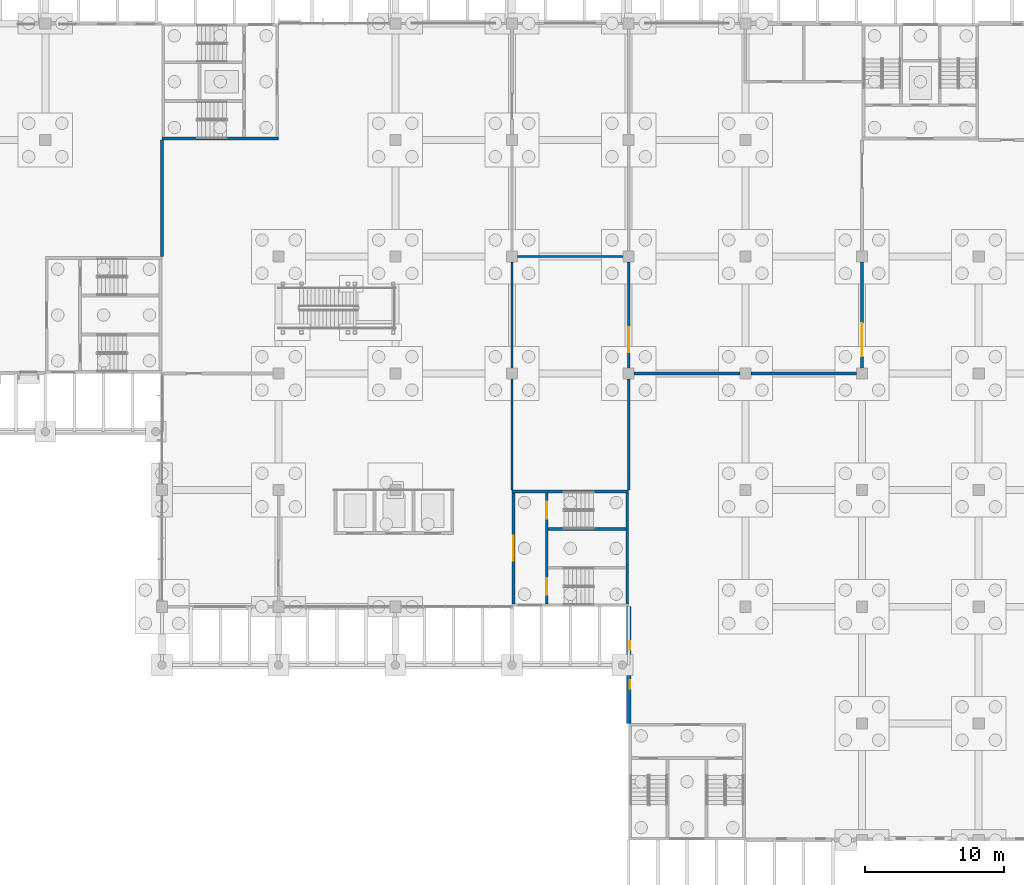
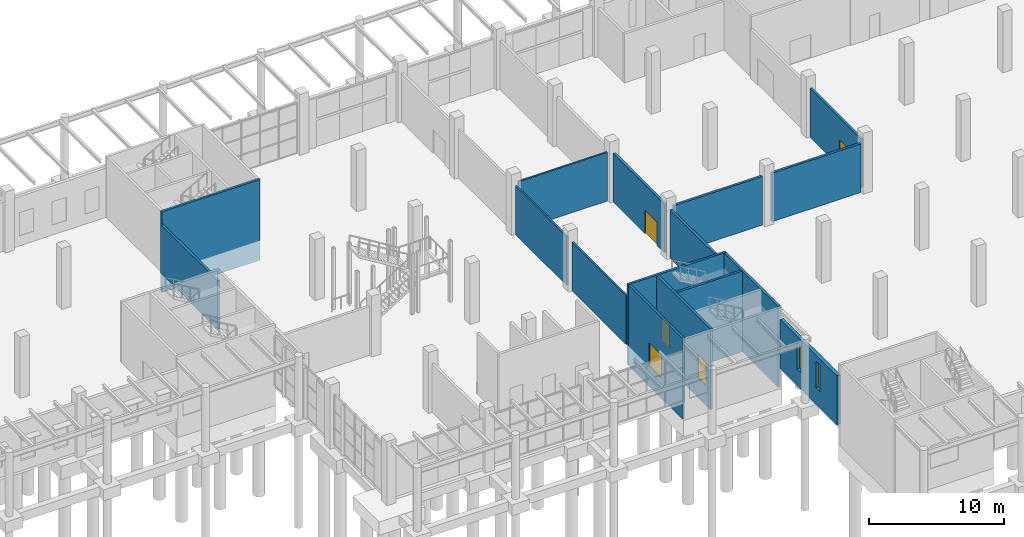
# One storey, part 37 of 82: 16 walls, 5 doors, 2 windows, 7 openings.
"""IFC4 building model written with IfcOpenShell, lengths in metres."""

from ifc_helpers import new_model, si_unit, direction, frame, frame_2d, origin, place, context, subcontext, project, spatial, rectangle, extrude, material, layer, layer_set, type_object, element, fill, save


model = new_model("IFC4")

# Units and contexts
model_context = context("Model", 3, precision=1e-05, world=origin(), true_north=direction((0.0, 1.0)))
body_context = subcontext(model_context, "Body", "Model", "MODEL_VIEW")
ifc_project = project(units=[si_unit("LENGTHUNIT", "METRE"), si_unit("AREAUNIT", "SQUARE_METRE"), si_unit("VOLUMEUNIT", "CUBIC_METRE"), si_unit("PLANEANGLEUNIT", "RADIAN"), si_unit("MASSUNIT", "GRAM", prefix="KILO")], contexts=[model_context])

# Site, building, storey
site_placement = place(None, origin())
site = spatial("IfcSite", under=ifc_project, at=site_placement, CompositionType="ELEMENT")
building_placement = place(site_placement, origin())
building = spatial("IfcBuilding", under=site, at=building_placement, Name="Almond Square Museum", CompositionType="ELEMENT")
storey_placement = place(building_placement, origin())
storey = spatial("IfcBuildingStorey", under=building, at=storey_placement, Name="L00", CompositionType="ELEMENT", Elevation=0.0)

# Wall, openings, windows
ifc_material_1 = material(Name="Concrete C30/37", Category="concrete")
ifc_layer_1 = layer(ifc_material_1, 0.300048828125)
ifc_layer_set_1 = layer_set([ifc_layer_1], Name="Concrete C30/37")
wall_type_1 = type_object("IfcWallType", Name="Cast concrete wall 300 C30/37 behind louvre skin", PredefinedType="SOLIDWALL", material=ifc_layer_set_1)
wall_1_placement = place(storey_placement, frame((106.800048828125, 58.800048828125, 0.0), z_axis=(0.0, 0.0, 1.0), x_axis=(0.0, 1.0, 0.0)))
wall_1 = element("IfcWall", 1, at=wall_1_placement, inside=storey, type_object=wall_type_1, Name="External wall W1 V1 L00 W01", PredefinedType="SOLIDWALL", context=body_context, shape_type="SweptSolid", body=[
    extrude(rectangle(XDim=8.39990234375, YDim=0.300048828125, at=frame_2d((4.199951171875, 0.0))), origin(), (0.0, 0.0, 1.0), 4.43994140625),
])
opening_1_placement = place(wall_1_placement, frame((2.5, 0.0, 1.5)))
opening_1 = element("IfcOpeningElement", 2, at=opening_1_placement, cuts=wall_1, Name="Opening W0059", PredefinedType="OPENING", context=body_context, shape_type="SweptSolid", body=[
    extrude(rectangle(XDim=0.60009765625, YDim=2.39990234375, at=frame_2d((0.300048828125, 1.199951171875))), frame((0.0, 0.159912109375, 0.0), z_axis=(0.0, -1.0, 0.0), x_axis=(1.0, 0.0, 0.0)), (0.0, 0.0, 1.0), 0.320068359375),
])
opening_2_placement = place(wall_1_placement, frame((5.300048828125, 0.0, 1.5)))
opening_2 = element("IfcOpeningElement", 3, at=opening_2_placement, cuts=wall_1, Name="Opening W0060", PredefinedType="OPENING", context=body_context, shape_type="SweptSolid", body=[
    extrude(rectangle(XDim=0.60009765625, YDim=2.39990234375, at=frame_2d((0.300048828125, 1.199951171875))), frame((0.0, 0.159912109375, 0.0), z_axis=(0.0, -1.0, 0.0), x_axis=(1.0, 0.0, 0.0)), (0.0, 0.0, 1.0), 0.320068359375),
])
ifc_material_2 = material(Name="Anodised aluminium louvre and laminated glass", Category="aluminium")
window_type = type_object("IfcWindowType", Name="Slot window with storm louvre", PartitioningType="SINGLE_PANEL", PredefinedType="WINDOW", material=ifc_material_2)
window_1_placement = place(opening_1_placement, origin())
window_1 = element("IfcWindow", 4, at=window_1_placement, inside=storey, type_object=window_type, Name="Slot window with storm louvre W0059", OverallHeight=2.39990234375, OverallWidth=0.60009765625, PartitioningType="SINGLE_PANEL", PredefinedType="WINDOW", context=body_context, shape_type="SweptSolid", body=[
    extrude(rectangle(XDim=0.60009765625, YDim=2.39990234375, at=frame_2d((0.300048828125, 1.199951171875))), frame((0.0, -0.070068359375, 0.0), z_axis=(0.0, -1.0, 0.0), x_axis=(1.0, 0.0, 0.0)), (0.0, 0.0, 1.0), 0.06005859375),
])
fill(opening_1, window_1)
window_2_placement = place(opening_2_placement, origin())
window_2 = element("IfcWindow", 5, at=window_2_placement, inside=storey, type_object=window_type, Name="Slot window with storm louvre W0060", OverallHeight=2.39990234375, OverallWidth=0.60009765625, PartitioningType="SINGLE_PANEL", PredefinedType="WINDOW", context=body_context, shape_type="SweptSolid", body=[
    extrude(rectangle(XDim=0.60009765625, YDim=2.39990234375, at=frame_2d((0.300048828125, 1.199951171875))), frame((0.0, -0.070068359375, 0.0), z_axis=(0.0, -1.0, 0.0), x_axis=(1.0, 0.0, 0.0)), (0.0, 0.0, 1.0), 0.06005859375),
])
fill(opening_2, window_2)

# Wall
ifc_material_3 = material(Name="Concrete blockwork 200", Category="masonry")
ifc_layer_2 = layer(ifc_material_3, 0.199951171875)
ifc_layer_set_2 = layer_set([ifc_layer_2], Name="Concrete blockwork 200")
wall_type_2 = type_object("IfcWallType", Name="Fire partition 200 blockwork", PredefinedType="PARTITIONING", material=ifc_layer_set_2)
wall_2_placement = place(storey_placement, frame((73.199951171875, 92.39990234375, 0.0), z_axis=(0.0, 0.0, 1.0), x_axis=(0.0, 1.0, 0.0)))
element("IfcWall", 6, at=wall_2_placement, inside=storey, type_object=wall_type_2, Name="L00 partition 19", PredefinedType="PARTITIONING", context=body_context, shape_type="SweptSolid", body=[
    extrude(rectangle(XDim=8.400146484375, YDim=0.199951171875, at=frame_2d((4.2001953125, 0.0))), origin(), (0.0, 0.0, 1.0), 4.39990234375),
])

# Wall, opening, door
wall_3_placement = place(storey_placement, frame((106.800048828125, 84.39990234375, 0.0), z_axis=(0.0, 0.0, 1.0), x_axis=(0.0, 1.0, 0.0)))
wall_3 = element("IfcWall", 7, at=wall_3_placement, inside=storey, type_object=wall_type_2, Name="L00 partition 20", PredefinedType="PARTITIONING", context=body_context, shape_type="SweptSolid", body=[
    extrude(rectangle(XDim=7.60009765625, YDim=0.199951171875, at=frame_2d((3.800048828125, 0.0))), origin(), (0.0, 0.0, 1.0), 4.39990234375),
])
opening_3_placement = place(wall_3_placement, frame((1.125, 0.0, 0.0)))
opening_3 = element("IfcOpeningElement", 8, at=opening_3_placement, cuts=wall_3, Name="Opening D0109", PredefinedType="OPENING", context=body_context, shape_type="SweptSolid", body=[
    extrude(rectangle(XDim=1.800048828125, YDim=2.10009765625, at=frame_2d((0.89990234375, 1.050048828125))), frame((0.0, 0.10986328125, 0.0), z_axis=(0.0, -1.0, 0.0), x_axis=(1.0, 0.0, 0.0)), (0.0, 0.0, 1.0), 0.219970703125),
])
ifc_material_4 = material(Name="Steel", Category="steel")
door_type_1 = type_object("IfcDoorType", Name="Fire door 1800 x 2100 FD60 double", OperationType="NOTDEFINED", PredefinedType="DOOR", material=ifc_material_4)
door_1_placement = place(opening_3_placement, origin())
door_1 = element("IfcDoor", 9, at=door_1_placement, inside=storey, type_object=door_type_1, Name="L00 door Ticketing and Cloakroom to Hall Lobby", OperationType="DOUBLE_DOOR_SINGLE_SWING", OverallHeight=2.10009765625, OverallWidth=1.800048828125, PredefinedType="DOOR", context=body_context, shape_type="SweptSolid", body=[
    extrude(rectangle(XDim=1.800048828125, YDim=2.10009765625, at=frame_2d((0.89990234375, 1.050048828125))), frame((0.0, 0.02490234375, 0.0), z_axis=(0.0, -1.0, 0.0), x_axis=(1.0, 0.0, 0.0)), (0.0, 0.0, 1.0), 0.050048828125),
])
fill(opening_3, door_1)

wall_4_placement = place(storey_placement, frame((123.60009765625, 84.39990234375, 0.0), z_axis=(0.0, 0.0, 1.0), x_axis=(0.0, 1.0, 0.0)))
wall_4 = element("IfcWall", 10, at=wall_4_placement, inside=storey, type_object=wall_type_2, Name="L00 partition 21", PredefinedType="PARTITIONING", context=body_context, shape_type="SweptSolid", body=[
    extrude(rectangle(XDim=7.60009765625, YDim=0.199951171875, at=frame_2d((3.800048828125, 0.0))), origin(), (0.0, 0.0, 1.0), 4.39990234375),
])
opening_4_placement = place(wall_4_placement, frame((0.824951171875, 0.0, 0.0)))
opening_4 = element("IfcOpeningElement", 11, at=opening_4_placement, cuts=wall_4, Name="Opening D0144", PredefinedType="OPENING", context=body_context, shape_type="SweptSolid", body=[
    extrude(rectangle(XDim=2.39990234375, YDim=2.39990234375, at=frame_2d((1.199951171875, 1.199951171875))), frame((0.0, 0.10986328125, 0.0), z_axis=(0.0, -1.0, 0.0), x_axis=(1.0, 0.0, 0.0)), (0.0, 0.0, 1.0), 0.219970703125),
])
ifc_material_5 = material(Name="Steel", Category="steel")
door_type_2 = type_object("IfcDoorType", Name="Fire door 2400 x 2400 FD60 double", OperationType="NOTDEFINED", PredefinedType="DOOR", material=ifc_material_5)
door_2_placement = place(opening_4_placement, origin())
door_2 = element("IfcDoor", 12, at=door_2_placement, inside=storey, type_object=door_type_2, Name="L00 door Hall Lobby to Orientation Gallery", OperationType="DOUBLE_DOOR_SINGLE_SWING", OverallHeight=2.39990234375, OverallWidth=2.39990234375, PredefinedType="DOOR", context=body_context, shape_type="SweptSolid", body=[
    extrude(rectangle(XDim=2.39990234375, YDim=2.39990234375, at=frame_2d((1.199951171875, 1.199951171875))), frame((0.0, 0.02490234375, 0.0), z_axis=(0.0, -1.0, 0.0), x_axis=(1.0, 0.0, 0.0)), (0.0, 0.0, 1.0), 0.050048828125),
])
fill(opening_4, door_2)

# Walls
wall_5_placement = place(storey_placement, frame((107.199951171875, 84.0, 0.0), z_axis=(0.0, 0.0, 1.0), x_axis=(1.0, 0.0, 0.0)))
element("IfcWall", 13, at=wall_5_placement, inside=storey, type_object=wall_type_2, Name="L00 partition 23", PredefinedType="PARTITIONING", context=body_context, shape_type="SweptSolid", body=[
    extrude(rectangle(XDim=7.60009765625, YDim=0.199951171875, at=frame_2d((3.800048828125, 0.0))), origin(), (0.0, 0.0, 1.0), 4.39990234375),
])
wall_6_placement = place(storey_placement, frame((115.60009765625, 84.0, 0.0), z_axis=(0.0, 0.0, 1.0), x_axis=(1.0, 0.0, 0.0)))
element("IfcWall", 14, at=wall_6_placement, inside=storey, type_object=wall_type_2, Name="L00 partition 24", PredefinedType="PARTITIONING", context=body_context, shape_type="SweptSolid", body=[
    extrude(rectangle(XDim=7.599853515625, YDim=0.199951171875, at=frame_2d((3.7998046875, 0.0))), origin(), (0.0, 0.0, 1.0), 4.39990234375),
])
ifc_material_6 = material(Name="Painted gypsum board on steel stud", Category="steel")
ifc_layer_3 = layer(ifc_material_6, 0.199951171875)
ifc_layer_set_3 = layer_set([ifc_layer_3], Name="Painted gypsum board on steel stud")
wall_type_3 = type_object("IfcWallType", Name="Gallery wall 200 painted board on stud", PredefinedType="PARTITIONING", material=ifc_layer_set_3)
wall_7_placement = place(storey_placement, frame((106.800048828125, 75.60009765625, 0.0), z_axis=(0.0, 0.0, 1.0), x_axis=(0.0, 1.0, 0.0)))
element("IfcWall", 15, at=wall_7_placement, inside=storey, type_object=wall_type_3, Name="L00 partition 32", PredefinedType="PARTITIONING", context=body_context, shape_type="SweptSolid", body=[
    extrude(rectangle(XDim=8.0, YDim=0.199951171875, at=frame_2d((4.0, 0.0))), origin(), (0.0, 0.0, 1.0), 4.39990234375),
])
ifc_material_7 = material(Name="Plasterboard on steel stud", Category="steel")
ifc_layer_4 = layer(ifc_material_7, 0.14990234375)
ifc_layer_set_4 = layer_set([ifc_layer_4], Name="Plasterboard on steel stud")
wall_type_4 = type_object("IfcWallType", Name="Partition 150 plasterboard on steel stud", PredefinedType="PARTITIONING", material=ifc_layer_set_4)
wall_8_placement = place(storey_placement, frame((98.800048828125, 92.39990234375, 0.0), z_axis=(0.0, 0.0, 1.0), x_axis=(1.0, 0.0, 0.0)))
element("IfcWall", 16, at=wall_8_placement, inside=storey, type_object=wall_type_4, Name="L00 partition 16", PredefinedType="PARTITIONING", context=body_context, shape_type="SweptSolid", body=[
    extrude(rectangle(XDim=7.599853515625, YDim=0.14990234375, at=frame_2d((3.7998046875, 0.0))), origin(), (0.0, 0.0, 1.0), 4.39990234375),
])
wall_9_placement = place(storey_placement, frame((98.39990234375, 75.60009765625, 0.0), z_axis=(0.0, 0.0, 1.0), x_axis=(0.0, 1.0, 0.0)))
element("IfcWall", 17, at=wall_9_placement, inside=storey, type_object=wall_type_4, Name="L00 partition 33", PredefinedType="PARTITIONING", context=body_context, shape_type="SweptSolid", body=[
    extrude(rectangle(XDim=8.0, YDim=0.14990234375, at=frame_2d((4.0, 0.0))), origin(), (0.0, 0.0, 1.0), 4.39990234375),
])
wall_10_placement = place(storey_placement, frame((98.39990234375, 84.39990234375, 0.0), z_axis=(0.0, 0.0, 1.0), x_axis=(0.0, 1.0, 0.0)))
element("IfcWall", 18, at=wall_10_placement, inside=storey, type_object=wall_type_4, Name="L00 partition 34", PredefinedType="PARTITIONING", context=body_context, shape_type="SweptSolid", body=[
    extrude(rectangle(XDim=7.60009765625, YDim=0.14990234375, at=frame_2d((3.800048828125, 0.0))), origin(), (0.0, 0.0, 1.0), 4.39990234375),
])
ifc_material_8 = material(Name="Concrete C40/50", Category="concrete")
ifc_layer_5 = layer(ifc_material_8, 0.199951171875)
ifc_layer_set_5 = layer_set([ifc_layer_5], Name="Concrete C40/50")
wall_type_5 = type_object("IfcWallType", Name="RC shear wall 200 C40/50", PredefinedType="SHEAR", material=ifc_layer_set_5)
for number, where, z_axis, x_axis, name in (
    (19, (73.199951171875, 100.89990234375, -1.800048828125), (0.0, 0.0, 1.0), (1.0, 0.0, 0.0), "Core A1 south wall L00"),
    (20, (98.39990234375, 75.5, -1.800048828125), (0.0, 0.0, 1.0), (1.0, 0.0, 0.0), "Core A2 north wall L00"),
):
    element("IfcWall", number, at=place(storey_placement, frame(where, z_axis=z_axis, x_axis=x_axis)), inside=storey, type_object=wall_type_5, Name=name, PredefinedType="SHEAR", context=body_context, shape_type="SweptSolid", body=[
        extrude(rectangle(XDim=8.400146484375, YDim=0.199951171875, at=frame_2d((4.2001953125, 0.0))), origin(), (0.0, 0.0, 1.0), 7.300048828125),
    ])

# Wall, opening, door
wall_11_placement = place(storey_placement, frame((98.5, 67.39990234375, -1.800048828125), z_axis=(0.0, 0.0, 1.0), x_axis=(0.0, 1.0, 0.0)))
wall_11 = element("IfcWall", 21, at=wall_11_placement, inside=storey, type_object=wall_type_5, Name="Core A2 west wall L00", PredefinedType="SHEAR", context=body_context, shape_type="SweptSolid", body=[
    extrude(rectangle(XDim=8.0, YDim=0.199951171875, at=frame_2d((4.0, 0.0))), origin(), (0.0, 0.0, 1.0), 7.300048828125),
])
opening_5_placement = place(wall_11_placement, frame((3.10009765625, 0.0, 1.800048828125)))
opening_5 = element("IfcOpeningElement", 22, at=opening_5_placement, cuts=wall_11, Name="Opening D0175", PredefinedType="OPENING", context=body_context, shape_type="SweptSolid", body=[
    extrude(rectangle(XDim=1.800048828125, YDim=2.10009765625, at=frame_2d((0.89990234375, 1.050048828125))), frame((0.0, 0.10986328125, 0.0), z_axis=(0.0, -1.0, 0.0), x_axis=(1.0, 0.0, 0.0)), (0.0, 0.0, 1.0), 0.219970703125),
])
door_3_placement = place(opening_5_placement, origin())
door_3 = element("IfcDoor", 23, at=door_3_placement, inside=storey, type_object=door_type_1, Name="L00 stair core A2 lobby door", OperationType="DOUBLE_DOOR_SINGLE_SWING", OverallHeight=2.10009765625, OverallWidth=1.800048828125, PredefinedType="DOOR", context=body_context, shape_type="SweptSolid", body=[
    extrude(rectangle(XDim=1.800048828125, YDim=2.10009765625, at=frame_2d((0.89990234375, 1.050048828125))), frame((0.0, 0.02490234375, 0.0), z_axis=(0.0, -1.0, 0.0), x_axis=(1.0, 0.0, 0.0)), (0.0, 0.0, 1.0), 0.050048828125),
])
fill(opening_5, door_3)

# Wall
wall_12_placement = place(storey_placement, frame((106.699951171875, 67.39990234375, -1.800048828125), z_axis=(0.0, 0.0, 1.0), x_axis=(0.0, 1.0, 0.0)))
element("IfcWall", 24, at=wall_12_placement, inside=storey, type_object=wall_type_5, Name="Core A2 east wall L00", PredefinedType="SHEAR", context=body_context, shape_type="SweptSolid", body=[
    extrude(rectangle(XDim=8.0, YDim=0.199951171875, at=frame_2d((4.0, 0.0))), origin(), (0.0, 0.0, 1.0), 7.300048828125),
])

# Wall, openings, doors
wall_13_placement = place(storey_placement, frame((100.89990234375, 67.39990234375, -1.800048828125), z_axis=(0.0, 0.0, 1.0), x_axis=(0.0, 1.0, 0.0)))
wall_13 = element("IfcWall", 25, at=wall_13_placement, inside=storey, type_object=wall_type_5, Name="Core A2 lobby wall L00", PredefinedType="SHEAR", context=body_context, shape_type="SweptSolid", body=[
    extrude(rectangle(XDim=8.0, YDim=0.199951171875, at=frame_2d((4.0, 0.0))), origin(), (0.0, 0.0, 1.0), 7.300048828125),
])
opening_6_placement = place(wall_13_placement, frame((0.64990234375, 0.0, 1.800048828125)))
opening_6 = element("IfcOpeningElement", 26, at=opening_6_placement, cuts=wall_13, Name="Opening D0176", PredefinedType="OPENING", context=body_context, shape_type="SweptSolid", body=[
    extrude(rectangle(XDim=1.199951171875, YDim=2.10009765625, at=frame_2d((0.60009765625, 1.050048828125))), frame((0.0, 0.10986328125, 0.0), z_axis=(0.0, -1.0, 0.0), x_axis=(1.0, 0.0, 0.0)), (0.0, 0.0, 1.0), 0.219970703125),
])
opening_7_placement = place(wall_13_placement, frame((6.14990234375, 0.0, 1.800048828125)))
opening_7 = element("IfcOpeningElement", 27, at=opening_7_placement, cuts=wall_13, Name="Opening D0177", PredefinedType="OPENING", context=body_context, shape_type="SweptSolid", body=[
    extrude(rectangle(XDim=1.199951171875, YDim=2.10009765625, at=frame_2d((0.60009765625, 1.050048828125))), frame((0.0, 0.10986328125, 0.0), z_axis=(0.0, -1.0, 0.0), x_axis=(1.0, 0.0, 0.0)), (0.0, 0.0, 1.0), 0.219970703125),
])
ifc_material_9 = material(Name="Steel", Category="steel")
door_type_3 = type_object("IfcDoorType", Name="Fire door 1200 x 2100 FD120 stair", OperationType="NOTDEFINED", PredefinedType="DOOR", material=ifc_material_9)
door_4_placement = place(opening_6_placement, origin())
door_4 = element("IfcDoor", 28, at=door_4_placement, inside=storey, type_object=door_type_3, Name="L00 stair A2-1 door", OperationType="SINGLE_SWING_LEFT", OverallHeight=2.10009765625, OverallWidth=1.199951171875, PredefinedType="DOOR", context=body_context, shape_type="SweptSolid", body=[
    extrude(rectangle(XDim=1.199951171875, YDim=2.10009765625, at=frame_2d((0.60009765625, 1.050048828125))), frame((0.0, 0.02490234375, 0.0), z_axis=(0.0, -1.0, 0.0), x_axis=(1.0, 0.0, 0.0)), (0.0, 0.0, 1.0), 0.050048828125),
])
fill(opening_6, door_4)
door_5_placement = place(opening_7_placement, origin())
door_5 = element("IfcDoor", 29, at=door_5_placement, inside=storey, type_object=door_type_3, Name="L00 stair A2-2 door", OperationType="SINGLE_SWING_RIGHT", OverallHeight=2.10009765625, OverallWidth=1.199951171875, PredefinedType="DOOR", context=body_context, shape_type="SweptSolid", body=[
    extrude(rectangle(XDim=1.199951171875, YDim=2.10009765625, at=frame_2d((0.60009765625, 1.050048828125))), frame((0.0, 0.02490234375, 0.0), z_axis=(0.0, -1.0, 0.0), x_axis=(1.0, 0.0, 0.0)), (0.0, 0.0, 1.0), 0.050048828125),
])
fill(opening_7, door_5)

# Wall
wall_14_placement = place(storey_placement, frame((101.0, 72.800048828125, -1.800048828125), z_axis=(0.0, 0.0, 1.0), x_axis=(1.0, 0.0, 0.0)))
element("IfcWall", 30, at=wall_14_placement, inside=storey, type_object=wall_type_5, Name="Core A2 partition wall L00", PredefinedType="SHEAR", context=body_context, shape_type="SweptSolid", body=[
    extrude(rectangle(XDim=5.60009765625, YDim=0.199951171875, at=frame_2d((2.800048828125, 0.0))), origin(), (0.0, 0.0, 1.0), 7.300048828125),
])

save(model, "model.ifc")
